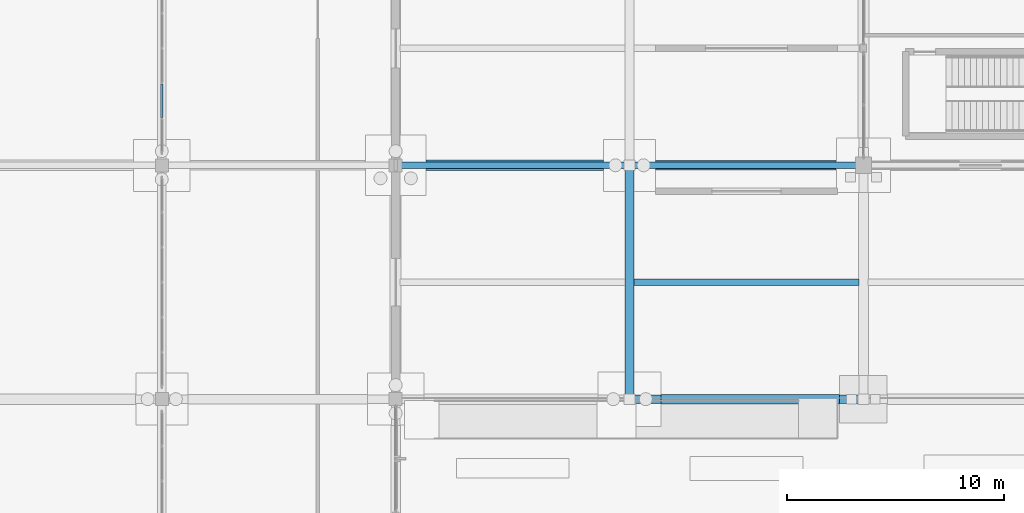
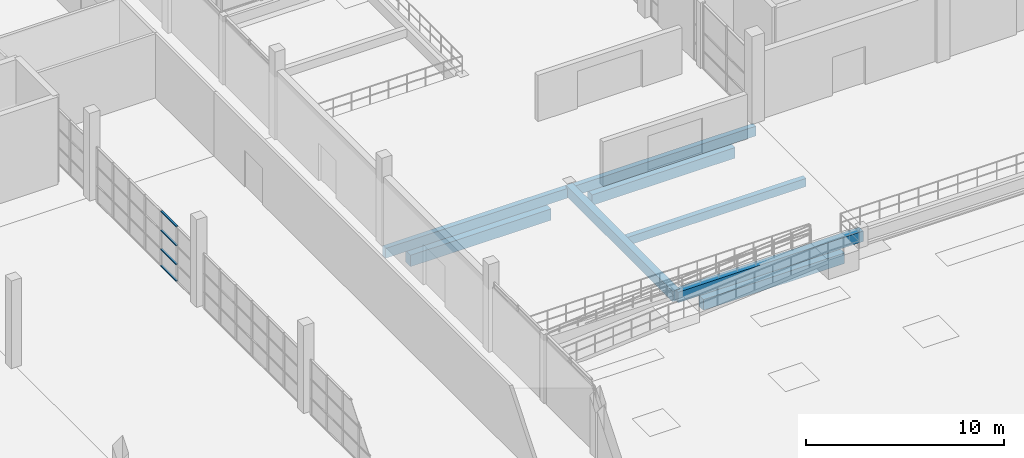
# One storey, part 27 of 138: 8 beams, 4 members, 1 element without a shape of its own.
"""IFC4 building model written with IfcOpenShell, lengths in metres."""

from ifc_helpers import new_model, si_unit, direction, frame, origin, origin_2d, place, context, subcontext, project, spatial, rectangle, extrude, material, material_profile, profile_set, type_object, element, aggregate, save


model = new_model("IFC4")

# Units and contexts
model_context = context("Model", 3, precision=1e-05, world=origin(), true_north=direction((0.0, 1.0)))
body_context = subcontext(model_context, "Body", "Model", "MODEL_VIEW")
ifc_project = project(units=[si_unit("LENGTHUNIT", "METRE"), si_unit("AREAUNIT", "SQUARE_METRE"), si_unit("VOLUMEUNIT", "CUBIC_METRE"), si_unit("PLANEANGLEUNIT", "RADIAN"), si_unit("MASSUNIT", "GRAM", prefix="KILO")], contexts=[model_context])

# Site, building, storey
site_placement = place(None, origin())
site = spatial("IfcSite", under=ifc_project, at=site_placement, CompositionType="ELEMENT")
building_placement = place(site_placement, origin())
building = spatial("IfcBuilding", under=site, at=building_placement, Name="Zwinboog Wholesale Market", CompositionType="ELEMENT")
storey_placement = place(building_placement, origin())
storey = spatial("IfcBuildingStorey", under=building, at=storey_placement, Name="L00", CompositionType="ELEMENT", Elevation=0.0)

# Beams
ifc_material_1 = material(Name="Precast concrete C45/55", Category="concrete")
ifc_material_profile_1 = material_profile(ifc_material_1, rectangle(XDim=0.39990234375, YDim=0.64990234375, at=origin_2d()), Name="PC 400x650")
ifc_profile_set_1 = profile_set([ifc_material_profile_1], Name="Precast concrete C45/55")
beam_type_1 = type_object("IfcBeamType", Name="BT-05", PredefinedType="BEAM", material=ifc_profile_set_1)
for number, where, z_axis, x_axis, name in (
    (1, (54.0, 32.39990234375, -0.56689453125), (1.0, 0.0, 0.0), (0.0, 1.0, 0.0), "BG-05 (BM-TER-L00-0002)"),
    (2, (54.0, 32.39990234375, -0.554931640625), (0.0, 1.0, 0.0), (-1.0, 0.0, 0.0), "BG-05 (BM-TER-L00-0016)"),
):
    element("IfcBeam", number, at=place(storey_placement, frame(where, z_axis=z_axis, x_axis=x_axis)), inside=storey, type_object=beam_type_1, Name=name, PredefinedType="BEAM", context=body_context, shape_type="SweptSolid", body=[
        extrude(rectangle(XDim=0.39990234375, YDim=0.64990234375, at=origin_2d()), origin(), (0.0, 0.0, 1.0), 10.800048828125),
    ])
ifc_material_profile_2 = material_profile(ifc_material_1, rectangle(XDim=0.300048828125, YDim=0.60009765625, at=origin_2d()), Name="PC 300x600")
ifc_profile_set_2 = profile_set([ifc_material_profile_2], Name="Precast concrete C45/55")
beam_type_2 = type_object("IfcBeamType", Name="BT-09", PredefinedType="SPANDREL", material=ifc_profile_set_2)
for number, where, z_axis, x_axis, name in (
    (3, (43.199951171875, 43.199951171875, -0.64990234375), (1.0, 0.0, 0.0), (0.0, 1.0, 0.0), "SP-02 (BM-TER-L00-0007)"),
    (4, (54.0, 43.199951171875, -0.6650390625), (1.0, 0.0, 0.0), (0.0, 1.0, 0.0), "SP-02 (BM-TER-L00-0008)"),
):
    element("IfcBeam", number, at=place(storey_placement, frame(where, z_axis=z_axis, x_axis=x_axis)), inside=storey, type_object=beam_type_2, Name=name, PredefinedType="SPANDREL", context=body_context, shape_type="SweptSolid", body=[
        extrude(rectangle(XDim=0.300048828125, YDim=0.60009765625, at=origin_2d()), origin(), (0.0, 0.0, 1.0), 10.800048828125),
    ])
ifc_material_profile_3 = material_profile(ifc_material_1, rectangle(XDim=0.300048828125, YDim=0.5, at=origin_2d()), Name="PC 300x500")
ifc_profile_set_3 = profile_set([ifc_material_profile_3], Name="Precast concrete C45/55")
beam_type_3 = type_object("IfcBeamType", Name="BT-10", PredefinedType="JOIST", material=ifc_profile_set_3)
beam_1_placement = place(storey_placement, frame((54.199951171875, 37.800048828125, -0.491943359375), z_axis=(1.0, 0.0, 0.0), x_axis=(0.0, 1.0, 0.0)))
element("IfcBeam", 5, at=beam_1_placement, inside=storey, type_object=beam_type_3, Name="BJ-01 (BM-TER-L00-0033)", PredefinedType="JOIST", context=body_context, shape_type="SweptSolid", body=[
    extrude(rectangle(XDim=0.300048828125, YDim=0.5, at=origin_2d()), origin(), (0.0, 0.0, 1.0), 10.400146484375),
])
ifc_material_2 = material(Name="Concrete C35/45", Category="concrete")
ifc_material_profile_4 = material_profile(ifc_material_2, rectangle(XDim=0.5, YDim=0.699951171875, at=origin_2d()), Name="RC 500x700")
ifc_profile_set_4 = profile_set([ifc_material_profile_4], Name="Concrete C35/45")
beam_type_4 = type_object("IfcBeamType", Name="BT-12", PredefinedType="USERDEFINED", material=ifc_profile_set_4)
beam_2_placement = place(storey_placement, frame((44.60498046875, 43.199951171875, -1.550048828125), z_axis=(1.0, 0.0, 0.0), x_axis=(0.0, 1.0, 0.0)))
element("IfcBeam", 6, at=beam_2_placement, inside=storey, type_object=beam_type_4, Name="GB-01 (BM-GB-0037)", ObjectType="GROUND_BEAM", PredefinedType="USERDEFINED", context=body_context, shape_type="SweptSolid", body=[
    extrude(rectangle(XDim=0.5, YDim=0.699951171875, at=origin_2d()), origin(), (0.0, 0.0, 1.0), 8.18994140625),
])
ifc_material_profile_5 = material_profile(ifc_material_2, rectangle(XDim=0.449951171875, YDim=0.64990234375, at=origin_2d()), Name="RC 450x650")
ifc_profile_set_5 = profile_set([ifc_material_profile_5], Name="Concrete C35/45")
beam_type_5 = type_object("IfcBeamType", Name="BT-13", PredefinedType="USERDEFINED", material=ifc_profile_set_5)
beam_3_placement = place(storey_placement, frame((55.455078125, 32.39990234375, -1.52490234375), z_axis=(1.0, 0.0, 0.0), x_axis=(0.0, 1.0, 0.0)))
element("IfcBeam", 7, at=beam_3_placement, inside=storey, type_object=beam_type_5, Name="GB-02 (BM-GB-0020)", ObjectType="GROUND_BEAM", PredefinedType="USERDEFINED", context=body_context, shape_type="SweptSolid", body=[
    extrude(rectangle(XDim=0.449951171875, YDim=0.64990234375, at=origin_2d()), origin(), (0.0, 0.0, 1.0), 8.239990234375),
])
beam_4_placement = place(storey_placement, frame((55.205078125, 43.199951171875, -1.52490234375), z_axis=(1.0, 0.0, 0.0), x_axis=(0.0, 1.0, 0.0)))
element("IfcBeam", 8, at=beam_4_placement, inside=storey, type_object=beam_type_5, Name="GB-02 (BM-GB-0038)", ObjectType="GROUND_BEAM", PredefinedType="USERDEFINED", context=body_context, shape_type="SweptSolid", body=[
    extrude(rectangle(XDim=0.449951171875, YDim=0.64990234375, at=origin_2d()), origin(), (0.0, 0.0, 1.0), 8.33984375),
])

# Curtain wall, members
ifc_material_3 = material(Name="Aluminium thermally broken curtain wall", Category="aluminium")
curtain_wall_type = type_object("IfcCurtainWallType", Name="CWT-INT-STALL", PredefinedType="USERDEFINED", material=ifc_material_3)
curtain_wall_placement = place(storey_placement, origin())
curtain_wall = element("IfcCurtainWall", 9, at=curtain_wall_placement, inside=storey, type_object=curtain_wall_type, Name="CW-07 (CW-STL-221)", ObjectType="STOREFRONT_GLAZING", PredefinedType="USERDEFINED")
ifc_material_4 = material(Name="Aluminium EN AW-6060", Category="aluminium")
ifc_material_profile_6 = material_profile(ifc_material_4, rectangle(XDim=0.110107421875, YDim=0.06005859375, at=origin_2d()), Name="AL 60x110")
ifc_profile_set_6 = profile_set([ifc_material_profile_6], Name="Aluminium EN AW-6060")
member_type = type_object("IfcMemberType", Name="CWT-INT-60x100", PredefinedType="USERDEFINED", material=ifc_profile_set_6)
member_1_placement = place(storey_placement, frame((32.39990234375, 45.396728515625, 0.030029296875), z_axis=(0.0, 1.0, 0.0), x_axis=(-1.0, 0.0, 0.0)))
member_1 = element("IfcMember", 10, at=member_1_placement, type_object=member_type, Name="CW-07 transom 2.1", ObjectType="TRANSOM", PredefinedType="USERDEFINED", context=body_context, shape_type="SweptSolid", body=[
    extrude(rectangle(XDim=0.110107421875, YDim=0.06005859375, at=origin_2d()), origin(), (0.0, 0.0, 1.0), 1.556640625),
])
member_2_placement = place(storey_placement, frame((32.39990234375, 45.396728515625, 1.050048828125), z_axis=(0.0, 1.0, 0.0), x_axis=(-1.0, 0.0, 0.0)))
member_2 = element("IfcMember", 11, at=member_2_placement, type_object=member_type, Name="CW-07 transom 2.2", ObjectType="TRANSOM", PredefinedType="USERDEFINED", context=body_context, shape_type="SweptSolid", body=[
    extrude(rectangle(XDim=0.110107421875, YDim=0.06005859375, at=origin_2d()), origin(), (0.0, 0.0, 1.0), 1.556640625),
])
member_3_placement = place(storey_placement, frame((32.39990234375, 45.396728515625, 2.199951171875), z_axis=(0.0, 1.0, 0.0), x_axis=(-1.0, 0.0, 0.0)))
member_3 = element("IfcMember", 12, at=member_3_placement, type_object=member_type, Name="CW-07 transom 2.3", ObjectType="TRANSOM", PredefinedType="USERDEFINED", context=body_context, shape_type="SweptSolid", body=[
    extrude(rectangle(XDim=0.110107421875, YDim=0.06005859375, at=origin_2d()), origin(), (0.0, 0.0, 1.0), 1.556640625),
])
member_4_placement = place(storey_placement, frame((32.39990234375, 45.396728515625, 3.3701171875), z_axis=(0.0, 1.0, 0.0), x_axis=(-1.0, 0.0, 0.0)))
member_4 = element("IfcMember", 13, at=member_4_placement, type_object=member_type, Name="CW-07 transom 2.4", ObjectType="TRANSOM", PredefinedType="USERDEFINED", context=body_context, shape_type="SweptSolid", body=[
    extrude(rectangle(XDim=0.110107421875, YDim=0.06005859375, at=origin_2d()), origin(), (0.0, 0.0, 1.0), 1.556640625),
])
aggregate(curtain_wall, [member_1, member_2, member_3, member_4])

save(model, "model.ifc")
